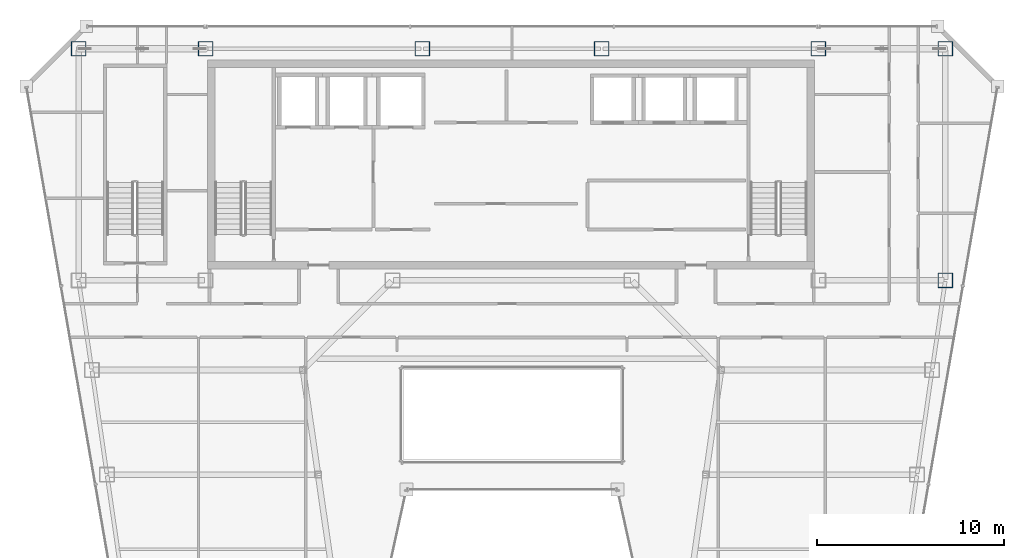
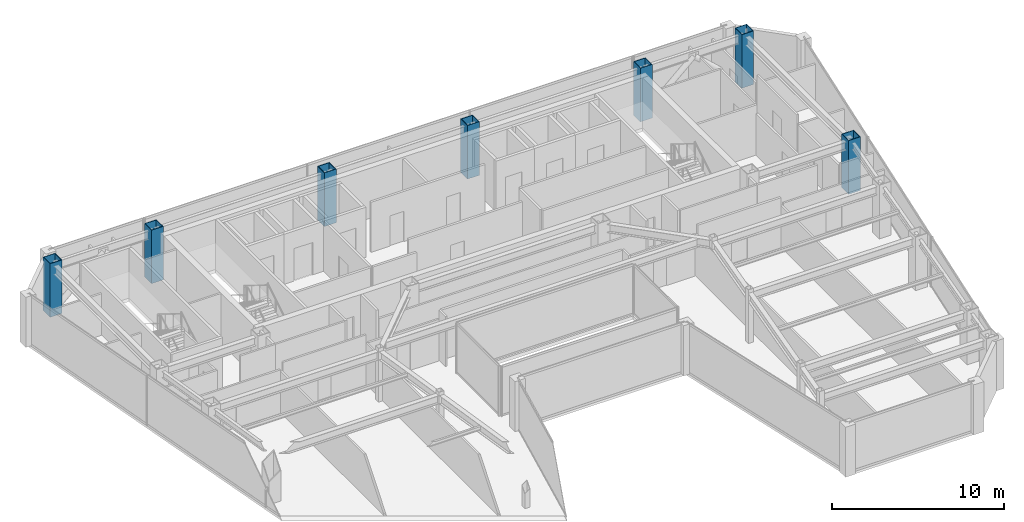
# One storey, part 2 of 32: 7 columns.
"""IFC4 building model written with IfcOpenShell, lengths in metres."""

from ifc_helpers import new_model, si_unit, direction, frame, origin, origin_2d, place, context, subcontext, project, spatial, hollow_rectangle, extrude, material, material_profile, profile_set, type_object, element, save


model = new_model("IFC4")

# Units and contexts
model_context = context("Model", 3, precision=1e-05, world=origin(), true_north=direction((0.0, 1.0)))
body_context = subcontext(model_context, "Body", "Model", "MODEL_VIEW")
ifc_project = project(units=[si_unit("LENGTHUNIT", "METRE"), si_unit("AREAUNIT", "SQUARE_METRE"), si_unit("VOLUMEUNIT", "CUBIC_METRE"), si_unit("PLANEANGLEUNIT", "RADIAN"), si_unit("MASSUNIT", "GRAM", prefix="KILO")], contexts=[model_context])

# Site, building, storey
site_placement = place(None, origin())
site = spatial("IfcSite", under=ifc_project, at=site_placement, CompositionType="ELEMENT")
building_placement = place(site_placement, origin())
building = spatial("IfcBuilding", under=site, at=building_placement, Name="Saevonmaru Cultural Tower", CompositionType="ELEMENT")
storey_placement = place(building_placement, frame((0.0, 0.0, 245.800048828125)))
storey = spatial("IfcBuildingStorey", under=building, at=storey_placement, Name="L57", CompositionType="ELEMENT", Elevation=245.800048828125)

# Columns
ifc_material = material(Name="Steel SM420", Category="steel")
ifc_material_profile = material_profile(ifc_material, hollow_rectangle(XDim=0.800048828125, YDim=0.800048828125, WallThickness=0.035888671875, at=origin_2d()), Name="BOX-800x800x36")
ifc_profile_set = profile_set([ifc_material_profile], Name="Steel SM420")
column_type = type_object("IfcColumnType", Name="COL-BOX-800", PredefinedType="COLUMN", material=ifc_profile_set)
for number, where, z_axis, x_axis, name in (
    (1, (6.800048828125, 54.800048828125, 0.0), (0.0, 0.0, 1.0), (1.0, 0.0, 0.0), "L57 Column TC-N1N"),
    (2, (13.60009765625, 54.800048828125, 0.0), (0.0, 0.0, 1.0), (1.0, 0.0, 0.0), "L57 Column TC-N2N"),
    (3, (25.199951171875, 54.800048828125, 0.0), (0.0, 0.0, 1.0), (1.0, 0.0, 0.0), "L57 Column TC-N3N"),
    (4, (34.800048828125, 54.800048828125, 0.0), (0.0, 0.0, 1.0), (1.0, 0.0, 0.0), "L57 Column TC-N4N"),
    (5, (46.39990234375, 54.800048828125, 0.0), (0.0, 0.0, 1.0), (1.0, 0.0, 0.0), "L57 Column TC-N5N"),
    (6, (53.199951171875, 54.800048828125, 0.0), (0.0, 0.0, 1.0), (1.0, 0.0, 0.0), "L57 Column TC-N6N"),
    (7, (53.199951171875, 42.39990234375, 0.0), (0.0, 0.0, 1.0), (1.0, 0.0, 0.0), "L57 Column TC-S6C"),
):
    element("IfcColumn", number, at=place(storey_placement, frame(where, z_axis=z_axis, x_axis=x_axis)), inside=storey, type_object=column_type, Name=name, PredefinedType="COLUMN", context=body_context, shape_type="SweptSolid", body=[
        extrude(hollow_rectangle(XDim=0.800048828125, YDim=0.800048828125, WallThickness=0.035888671875, at=origin_2d()), origin(), (0.0, 0.0, 1.0), 3.800048828125),
    ])

save(model, "model.ifc")
